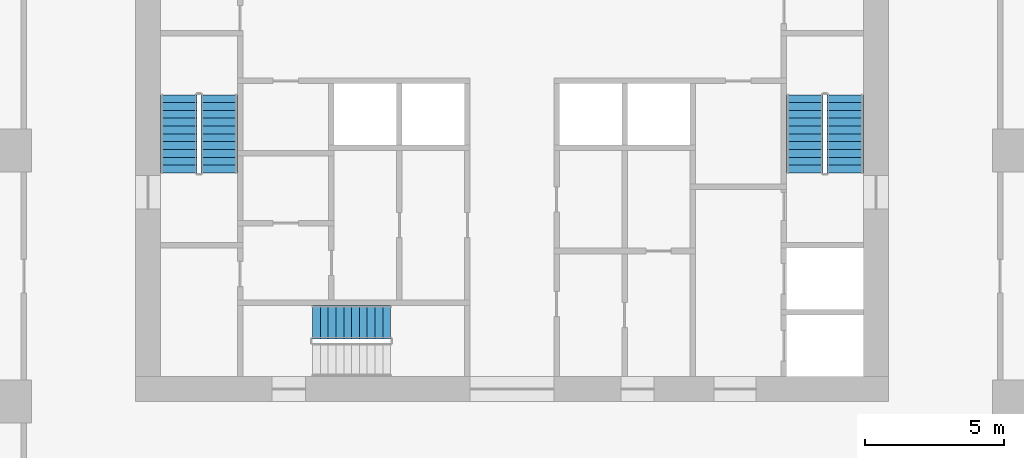
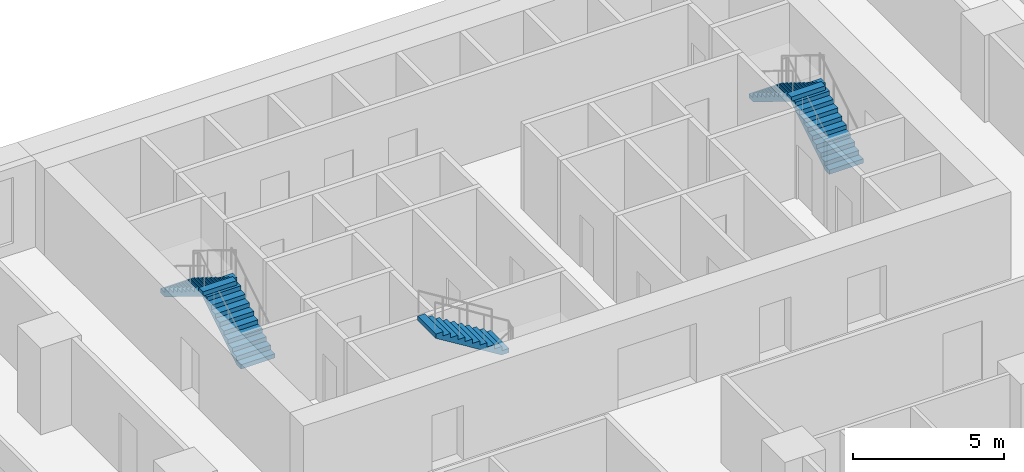
# One storey, part 7 of 14: 5 stair flights, 3 elements without a shape of their own.
"""IFC4 building model written with IfcOpenShell, lengths in metres."""

import ifcopenshell
import ifcopenshell.guid

model = None  # the IFC model being written
_history = None  # IfcOwnerHistory: only IFC2X3 demands one
_inside = {}  # id of a spatial element -> (the spatial element, [elements in it])
_under = {}  # id of a project, library or spatial element -> (it, [spatial elements below it])
_declared = {}  # id of a project -> (the project, [libraries it declares])
_typed = {}  # id of a type object -> (the type object, [elements of that type])
_made_of = {}  # id of a material, layer set ... -> (it, [elements and type objects made of it])


def new_model(schema):
    """Start an empty IFC model of exactly this schema.

    Asked for "IFC4X3", IfcOpenShell would pick the latest addendum, in which some entities
    have other attributes; the version numbers below select the first issue.
    IFC2X3 requires an IfcOwnerHistory on every rooted entity: one is made here for all.
    """
    global model, _history
    if schema == "IFC4X3":
        model = ifcopenshell.file(schema_version=(4, 3, 0, 0))
    else:
        model = ifcopenshell.file(schema=schema)
    _inside.clear()
    _under.clear()
    _declared.clear()
    _typed.clear()
    _made_of.clear()
    _history = None
    if model.schema == "IFC2X3":
        org = make("IfcOrganization", Name="unknown")
        user = make(
            "IfcPersonAndOrganization",
            ThePerson=make("IfcPerson", FamilyName="unknown"),
            TheOrganization=org,
        )
        app = make(
            "IfcApplication",
            ApplicationDeveloper=org,
            Version="unknown",
            ApplicationFullName="unknown",
            ApplicationIdentifier="unknown",
        )
        _history = make(
            "IfcOwnerHistory",
            OwningUser=user,
            OwningApplication=app,
            ChangeAction="ADDED",
            CreationDate=0,
        )
    return model


def make(cls, **values):
    """One entity of the class cls with the attributes given. An attribute that is None is left unset."""
    return model.create_entity(
        cls, **{name: value for name, value in values.items() if value is not None}
    )


def rooted(cls, **values):
    """An entity with a GlobalId (a new one), such as an element, a storey or a relation."""
    return make(cls, GlobalId=ifcopenshell.guid.new(), OwnerHistory=_history, **values)


def si_unit(unit_type, name, prefix=None):
    """IfcSIUnit, for example si_unit("LENGTHUNIT", "METRE", prefix="MILLI")."""
    return make("IfcSIUnit", UnitType=unit_type, Prefix=prefix, Name=name)


def assignment(units):
    """IfcUnitAssignment: the units of a project."""
    return None if units is None else make("IfcUnitAssignment", Units=units)


def point(xyz):
    """IfcCartesianPoint."""
    return None if xyz is None else make("IfcCartesianPoint", Coordinates=xyz)


def direction(xyz):
    """IfcDirection."""
    return None if xyz is None else make("IfcDirection", DirectionRatios=xyz)


def frame(location, z_axis=None, x_axis=None):
    """IfcAxis2Placement3D, a coordinate frame: its origin and axes. An axis left out is left unset."""
    return make(
        "IfcAxis2Placement3D",
        Location=point(location),
        Axis=direction(z_axis),
        RefDirection=direction(x_axis),
    )


def origin():
    """The frame at (0, 0, 0) with its axes left unset."""
    return frame((0.0, 0.0, 0.0))


def place(relative_to, where):
    """IfcLocalPlacement: puts the frame where relative to a parent placement (None: the world)."""
    return make(
        "IfcLocalPlacement", PlacementRelTo=relative_to, RelativePlacement=where
    )


def context(
    kind, dimensions, precision=None, world=None, true_north=None, identifier=None
):
    """IfcGeometricRepresentationContext, for example the 3D "Model" context."""
    return make(
        "IfcGeometricRepresentationContext",
        ContextIdentifier=identifier,
        ContextType=kind,
        CoordinateSpaceDimension=dimensions,
        Precision=precision,
        WorldCoordinateSystem=world,
        TrueNorth=true_north,
    )


def subcontext(parent, identifier, kind, view, scale=None):
    """IfcGeometricRepresentationSubContext, for example "Body" below "Model"."""
    return make(
        "IfcGeometricRepresentationSubContext",
        ContextIdentifier=identifier,
        ContextType=kind,
        ParentContext=parent,
        TargetScale=scale,
        TargetView=view,
    )


def project(units=None, contexts=None):
    """IfcProject with its units and contexts."""
    return rooted(
        "IfcProject",
        Name="project",
        RepresentationContexts=contexts,
        UnitsInContext=assignment(units),
    )


def spatial(cls, under=None, at=None, **own):
    """A site, building, storey or space (cls), placed at a placement, below another one or the project."""
    s = rooted(cls, ObjectPlacement=at, **own)
    if under is not None:
        _under.setdefault(under.id(), (under, []))[1].append(s)
    return s


def polyline(points):
    """IfcPolyline through the points."""
    return make("IfcPolyline", Points=[point(p) for p in points])


def outline(outer, holes=None, kind="AREA"):
    """IfcArbitraryClosedProfileDef: a profile drawn as a closed curve; with holes, ...WithVoids."""
    if holes is None:
        return make("IfcArbitraryClosedProfileDef", ProfileType=kind, OuterCurve=outer)
    return make(
        "IfcArbitraryProfileDefWithVoids",
        ProfileType=kind,
        OuterCurve=outer,
        InnerCurves=holes,
    )


def extrude(swept, where, along, depth):
    """IfcExtrudedAreaSolid: the profile swept, set in the frame where, extruded along a direction by depth."""
    return make(
        "IfcExtrudedAreaSolid",
        SweptArea=swept,
        Position=where,
        ExtrudedDirection=direction(along),
        Depth=depth,
    )


def shape(context_of_items, identifier, shape_type, items):
    """IfcShapeRepresentation: the items that make up one representation, for example the "Body"."""
    return make(
        "IfcShapeRepresentation",
        ContextOfItems=context_of_items,
        RepresentationIdentifier=identifier,
        RepresentationType=shape_type,
        Items=items,
    )


def material(Name=None, Category=None):
    """IfcMaterial."""
    return make("IfcMaterial", Name=Name, Category=Category)


def made_of(thing, what):
    """Note that an element or type object is made of a material, layer set ...; save() writes the relation."""
    if what is not None:
        _made_of.setdefault(what.id(), (what, []))[1].append(thing)
    return thing


def type_object(cls, material=None, **own):
    """A type object (cls), such as IfcWallType, which elements share."""
    return made_of(rooted(cls, **own), material)


def element(
    cls,
    number,
    at=None,
    inside=None,
    cuts=None,
    type_object=None,
    material=None,
    context=None,
    identifier="Body",
    shape_type=None,
    held_by="IfcProductDefinitionShape",
    body=None,
    shapes=None,
    **own,
):
    """One element of the class cls, such as IfcWall. Its Tag is "e" and its number.

    at: its placement. inside: the storey or other place that contains it. cuts: it is an
    opening in that element (IfcRelVoidsElement). A single representation is given by context,
    identifier, shape_type and body (its items); several are given by shapes. held_by: the class
    of the entity that holds the representations. save() writes the other relations.
    """
    e = rooted(cls, Tag="e%d" % number, ObjectPlacement=at, **own)
    if body is not None:
        shapes = [shape(context, identifier, shape_type, body)]
    if shapes is not None:
        e.Representation = make(held_by, Representations=shapes)
    if inside is not None:
        _inside.setdefault(inside.id(), (inside, []))[1].append(e)
    if cuts is not None:
        rooted(
            "IfcRelVoidsElement", RelatingBuildingElement=cuts, RelatedOpeningElement=e
        )
    if type_object is not None:
        _typed.setdefault(type_object.id(), (type_object, []))[1].append(e)
    return made_of(e, material)


def aggregate(whole, parts):
    """IfcRelAggregates: a whole, such as a stair, and the parts it consists of."""
    return rooted("IfcRelAggregates", RelatingObject=whole, RelatedObjects=parts)


def save(model, path):
    """Write the relations noted so far, then the file.

    IfcRelAggregates (storeys below a building ...), IfcRelContainedInSpatialStructure (elements
    in a storey), IfcRelDefinesByType, IfcRelAssociatesMaterial and IfcRelDeclares: one each for
    every whole, place, type object, material and project.
    """
    for whole, parts in _under.values():
        aggregate(whole, parts)
    for where, things in _inside.values():
        rooted(
            "IfcRelContainedInSpatialStructure",
            RelatedElements=things,
            RelatingStructure=where,
        )
    for kind, things in _typed.values():
        rooted("IfcRelDefinesByType", RelatedObjects=things, RelatingType=kind)
    for what, things in _made_of.values():
        rooted("IfcRelAssociatesMaterial", RelatedObjects=things, RelatingMaterial=what)
    for by, libraries in _declared.values():
        rooted("IfcRelDeclares", RelatingContext=by, RelatedDefinitions=libraries)
    model.write(path)


model = new_model("IFC4")

# Units and contexts
model_context = context("Model", 3, precision=1e-05, world=origin(), true_north=direction((0.0, 1.0)))
body_context = subcontext(model_context, "Body", "Model", "MODEL_VIEW")
ifc_project = project(units=[si_unit("LENGTHUNIT", "METRE"), si_unit("AREAUNIT", "SQUARE_METRE"), si_unit("VOLUMEUNIT", "CUBIC_METRE"), si_unit("PLANEANGLEUNIT", "RADIAN"), si_unit("MASSUNIT", "GRAM", prefix="KILO")], contexts=[model_context])

# Site, building, storey
site_placement = place(None, origin())
site = spatial("IfcSite", under=ifc_project, at=site_placement, CompositionType="ELEMENT")
building_placement = place(site_placement, origin())
building = spatial("IfcBuilding", under=site, at=building_placement, Name="Orbiselva Terraces", CompositionType="ELEMENT")
storey_placement = place(building_placement, frame((0.0, 0.0, 37.8)))
storey = spatial("IfcBuildingStorey", under=building, at=storey_placement, Name="L09", CompositionType="ELEMENT", Elevation=37.8)

# Stair, stair flight
ifc_material = material(Name="Concrete C40/50", Category="concrete")
stair_type_1 = type_object("IfcStairType", Name="CORE-STAIR-1200", PredefinedType="HALF_TURN_STAIR", material=ifc_material)
stair_1_placement = place(storey_placement, origin())
stair_1 = element("IfcStair", 1, at=stair_1_placement, inside=storey, type_object=stair_type_1, Name="L09 Exit Stair S3", PredefinedType="HALF_TURN_STAIR")
stair_flight_type_1 = type_object("IfcStairFlightType", Name="CORE-STAIR-FLIGHT-1200", PredefinedType="STRAIGHT", material=ifc_material)
stair_flight_1_placement = place(storey_placement, frame((-4.35, 7.35, 1.9), z_axis=(0.0, 0.0, 1.0), x_axis=(-1.0, 0.0, 0.0)))
stair_flight_1 = element("IfcStairFlight", 2, at=stair_flight_1_placement, type_object=stair_flight_type_1, Name="S3 flight 2", NumberOfRisers=11, NumberOfTreads=10, PredefinedType="STRAIGHT", RiserHeight=0.172727273, TreadLength=0.28, context=body_context, shape_type="SweptSolid", body=[
    extrude(outline(polyline([(0.0, 0.0), (0.0, 0.172727), (0.28, 0.172727), (0.28, 0.345455), (0.56, 0.345455), (0.56, 0.518182), (0.84, 0.518182), (0.84, 0.690909), (1.12, 0.690909), (1.12, 0.863636), (1.4, 0.863636), (1.4, 1.036364), (1.68, 1.036364), (1.68, 1.209091), (1.96, 1.209091), (1.96, 1.381818), (2.24, 1.381818), (2.24, 1.554545), (2.52, 1.554545), (2.52, 1.727273), (2.8, 1.727273), (2.8, 1.9), (2.8, 1.551028), (0.285702, 0.0), (0.0, 0.0)])), frame((0.0, 0.6, 0.0), z_axis=(0.0, -1.0, 0.0), x_axis=(1.0, 0.0, 0.0)), (0.0, 0.0, 1.0), 1.2),
])
aggregate(stair_1, [stair_flight_1])

# Stair, stair flights
stair_type_2 = type_object("IfcStairType", Name="CORE-STAIR-1300", PredefinedType="HALF_TURN_STAIR", material=ifc_material)
stair_2_placement = place(storey_placement, origin())
stair_2 = element("IfcStair", 3, at=stair_2_placement, inside=storey, type_object=stair_type_2, Name="L09 Exit Stair S1", PredefinedType="HALF_TURN_STAIR")
stair_flight_type_2 = type_object("IfcStairFlightType", Name="CORE-STAIR-FLIGHT-1300", PredefinedType="STRAIGHT", material=ifc_material)
stair_flight_2_placement = place(storey_placement, frame((-10.5, 12.7, 0.0), z_axis=(0.0, 0.0, 1.0), x_axis=(0.0, 1.0, 0.0)))
stair_flight_2 = element("IfcStairFlight", 4, at=stair_flight_2_placement, type_object=stair_flight_type_2, Name="S1 flight 1", NumberOfRisers=11, NumberOfTreads=10, PredefinedType="STRAIGHT", RiserHeight=0.172727273, TreadLength=0.28, context=body_context, shape_type="SweptSolid", body=[
    extrude(outline(polyline([(0.0, 0.0), (0.0, 0.172727), (0.28, 0.172727), (0.28, 0.345455), (0.56, 0.345455), (0.56, 0.518182), (0.84, 0.518182), (0.84, 0.690909), (1.12, 0.690909), (1.12, 0.863636), (1.4, 0.863636), (1.4, 1.036364), (1.68, 1.036364), (1.68, 1.209091), (1.96, 1.209091), (1.96, 1.381818), (2.24, 1.381818), (2.24, 1.554545), (2.52, 1.554545), (2.52, 1.727273), (2.8, 1.727273), (2.8, 1.9), (2.8, 1.551028), (0.285702, 0.0), (0.0, 0.0)])), frame((0.0, 0.65, 0.0), z_axis=(0.0, -1.0, 0.0), x_axis=(1.0, 0.0, 0.0)), (0.0, 0.0, 1.0), 1.3),
])
stair_flight_3_placement = place(storey_placement, frame((-11.95, 15.5, 1.9), z_axis=(0.0, 0.0, 1.0), x_axis=(0.0, -1.0, 0.0)))
stair_flight_3 = element("IfcStairFlight", 5, at=stair_flight_3_placement, type_object=stair_flight_type_2, Name="S1 flight 2", NumberOfRisers=11, NumberOfTreads=10, PredefinedType="STRAIGHT", RiserHeight=0.172727273, TreadLength=0.28, context=body_context, shape_type="SweptSolid", body=[
    extrude(outline(polyline([(0.0, 0.0), (0.0, 0.172727), (0.28, 0.172727), (0.28, 0.345455), (0.56, 0.345455), (0.56, 0.518182), (0.84, 0.518182), (0.84, 0.690909), (1.12, 0.690909), (1.12, 0.863636), (1.4, 0.863636), (1.4, 1.036364), (1.68, 1.036364), (1.68, 1.209091), (1.96, 1.209091), (1.96, 1.381818), (2.24, 1.381818), (2.24, 1.554545), (2.52, 1.554545), (2.52, 1.727273), (2.8, 1.727273), (2.8, 1.9), (2.8, 1.551028), (0.285702, 0.0), (0.0, 0.0)])), frame((0.0, 0.65, 0.0), z_axis=(0.0, -1.0, 0.0), x_axis=(1.0, 0.0, 0.0)), (0.0, 0.0, 1.0), 1.3),
])
aggregate(stair_2, [stair_flight_2, stair_flight_3])

stair_3_placement = place(storey_placement, origin())
stair_3 = element("IfcStair", 6, at=stair_3_placement, inside=storey, type_object=stair_type_2, Name="L09 Exit Stair S2", PredefinedType="HALF_TURN_STAIR")
stair_flight_4_placement = place(storey_placement, frame((11.95, 12.7, 0.0), z_axis=(0.0, 0.0, 1.0), x_axis=(0.0, 1.0, 0.0)))
stair_flight_4 = element("IfcStairFlight", 7, at=stair_flight_4_placement, type_object=stair_flight_type_2, Name="S2 flight 1", NumberOfRisers=11, NumberOfTreads=10, PredefinedType="STRAIGHT", RiserHeight=0.172727273, TreadLength=0.28, context=body_context, shape_type="SweptSolid", body=[
    extrude(outline(polyline([(0.0, 0.0), (0.0, 0.172727), (0.28, 0.172727), (0.28, 0.345455), (0.56, 0.345455), (0.56, 0.518182), (0.84, 0.518182), (0.84, 0.690909), (1.12, 0.690909), (1.12, 0.863636), (1.4, 0.863636), (1.4, 1.036364), (1.68, 1.036364), (1.68, 1.209091), (1.96, 1.209091), (1.96, 1.381818), (2.24, 1.381818), (2.24, 1.554545), (2.52, 1.554545), (2.52, 1.727273), (2.8, 1.727273), (2.8, 1.9), (2.8, 1.551028), (0.285702, 0.0), (0.0, 0.0)])), frame((0.0, 0.65, 0.0), z_axis=(0.0, -1.0, 0.0), x_axis=(1.0, 0.0, 0.0)), (0.0, 0.0, 1.0), 1.3),
])
stair_flight_5_placement = place(storey_placement, frame((10.5, 15.5, 1.9), z_axis=(0.0, 0.0, 1.0), x_axis=(0.0, -1.0, 0.0)))
stair_flight_5 = element("IfcStairFlight", 8, at=stair_flight_5_placement, type_object=stair_flight_type_2, Name="S2 flight 2", NumberOfRisers=11, NumberOfTreads=10, PredefinedType="STRAIGHT", RiserHeight=0.172727273, TreadLength=0.28, context=body_context, shape_type="SweptSolid", body=[
    extrude(outline(polyline([(0.0, 0.0), (0.0, 0.172727), (0.28, 0.172727), (0.28, 0.345455), (0.56, 0.345455), (0.56, 0.518182), (0.84, 0.518182), (0.84, 0.690909), (1.12, 0.690909), (1.12, 0.863636), (1.4, 0.863636), (1.4, 1.036364), (1.68, 1.036364), (1.68, 1.209091), (1.96, 1.209091), (1.96, 1.381818), (2.24, 1.381818), (2.24, 1.554545), (2.52, 1.554545), (2.52, 1.727273), (2.8, 1.727273), (2.8, 1.9), (2.8, 1.551028), (0.285702, 0.0), (0.0, 0.0)])), frame((0.0, 0.65, 0.0), z_axis=(0.0, -1.0, 0.0), x_axis=(1.0, 0.0, 0.0)), (0.0, 0.0, 1.0), 1.3),
])
aggregate(stair_3, [stair_flight_4, stair_flight_5])

save(model, "model.ifc")
